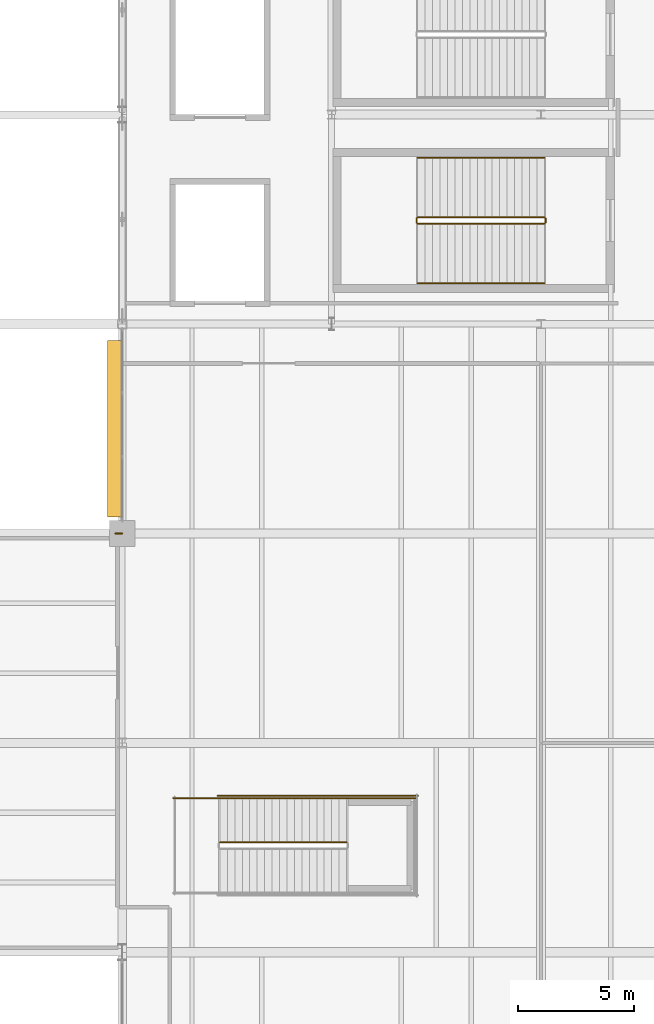
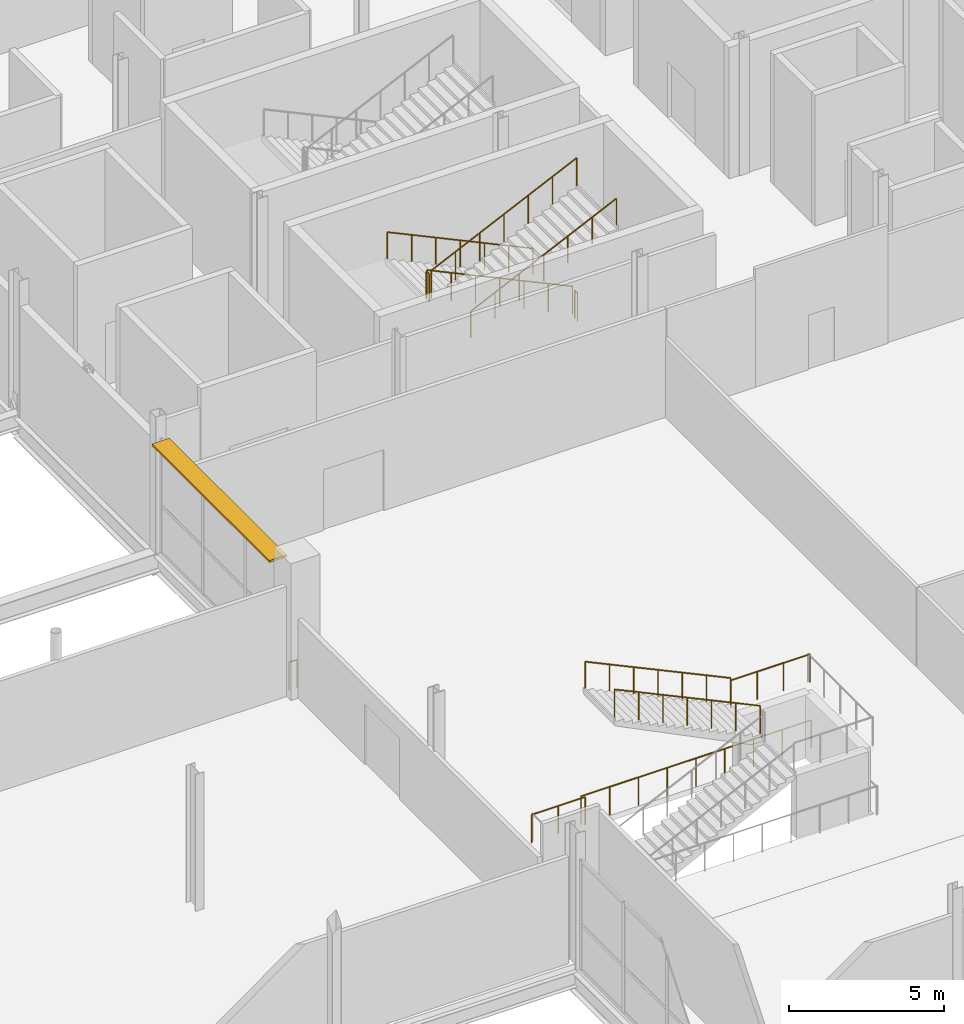
# One storey, part 111 of 119: 12 railings, 1 shading device.
"""IFC4 building model written with IfcOpenShell, lengths in metres."""

from ifc_helpers import new_model, si_unit, direction, frame, origin, origin_2d, place, context, subcontext, project, spatial, rectangle, circle, extrude, material, type_object, element, save


model = new_model("IFC4")

# Units and contexts
model_context = context("Model", 3, precision=1e-05, world=origin(), true_north=direction((0.0, 1.0)))
body_context = subcontext(model_context, "Body", "Model", "MODEL_VIEW")
ifc_project = project(units=[si_unit("LENGTHUNIT", "METRE"), si_unit("AREAUNIT", "SQUARE_METRE"), si_unit("VOLUMEUNIT", "CUBIC_METRE"), si_unit("PLANEANGLEUNIT", "RADIAN"), si_unit("MASSUNIT", "GRAM", prefix="KILO")], contexts=[model_context])

# Site, building, storey
site_placement = place(None, origin())
site = spatial("IfcSite", under=ifc_project, at=site_placement, CompositionType="ELEMENT")
building_placement = place(site_placement, origin())
building = spatial("IfcBuilding", under=site, at=building_placement, Name="Qamarlyn Nura Convention Centre", CompositionType="ELEMENT")
storey_placement = place(building_placement, frame((0.0, 0.0, 5.39990234375)))
storey = spatial("IfcBuildingStorey", under=building, at=storey_placement, Name="L01", CompositionType="ELEMENT", Elevation=5.39990234375)

# Railings
ifc_material_1 = material(Name="Marine Grade 316 stainless steel", Category="steel")
railing_type_1 = type_object("IfcRailingType", Name="GRD-STAIR-112", PredefinedType="BALUSTRADE", material=ifc_material_1)
railing_1_placement = place(storey_placement, frame((171.139892578125, 58.590087890625, 0.150146484375)))
element("IfcRailing", 1, at=railing_1_placement, inside=storey, type_object=railing_type_1, Name="L01 ST-11 stair guard 1", PredefinedType="BALUSTRADE", context=body_context, shape_type="SweptSolid", body=[
    extrude(circle(Radius=0.02392578125, at=origin_2d()), frame((0.0, 0.0, 1.09619140625), z_axis=(-0.90545405566, 0.0, 0.424444287379), x_axis=(0.0, -1.0, 0.0)), (0.0, 0.0, 1.0), 6.008056640625),
    extrude(circle(Radius=0.02099609375, at=origin_2d()), origin(), (0.0, 0.0, 1.0), 1.070068359375),
    extrude(circle(Radius=0.02099609375, at=origin_2d()), frame((-0.90673828125, 0.0, 0.425048828125)), (0.0, 0.0, 1.0), 1.070068359375),
    extrude(circle(Radius=0.02099609375, at=origin_2d()), frame((-1.813232421875, 0.0, 0.85009765625)), (0.0, 0.0, 1.0), 1.070068359375),
    extrude(circle(Radius=0.02099609375, at=origin_2d()), frame((-2.719970703125, 0.0, 1.27490234375)), (0.0, 0.0, 1.0), 1.070068359375),
    extrude(circle(Radius=0.02099609375, at=origin_2d()), frame((-3.626708984375, 0.0, 1.699951171875)), (0.0, 0.0, 1.0), 1.070068359375),
    extrude(circle(Radius=0.02099609375, at=origin_2d()), frame((-4.533203125, 0.0, 2.125)), (0.0, 0.0, 1.0), 1.070068359375),
    extrude(circle(Radius=0.02099609375, at=origin_2d()), frame((-5.43994140625, 0.0, 2.550048828125)), (0.0, 0.0, 1.0), 1.070068359375),
])
railing_2_placement = place(storey_placement, frame((165.64990234375, 58.5400390625, 2.7001953125)))
element("IfcRailing", 2, at=railing_2_placement, inside=storey, type_object=railing_type_1, Name="L01 ST-11 stair guard 2", PredefinedType="BALUSTRADE", context=body_context, shape_type="SweptSolid", body=[
    extrude(circle(Radius=0.02392578125, at=origin_2d()), frame((0.0, 0.0, 1.09619140625), z_axis=(0.0, -1.0, 0.0), x_axis=(1.0, 0.0, 0.0)), (0.0, 0.0, 1.0), 0.179931640625),
    extrude(circle(Radius=0.02099609375, at=origin_2d()), origin(), (0.0, 0.0, 1.0), 1.070068359375),
    extrude(circle(Radius=0.02099609375, at=origin_2d()), frame((0.0, -0.179931640625, 0.0)), (0.0, 0.0, 1.0), 1.070068359375),
])
railing_3_placement = place(storey_placement, frame((165.699951171875, 58.31005859375, 2.85009765625)))
element("IfcRailing", 3, at=railing_3_placement, inside=storey, type_object=railing_type_1, Name="L01 ST-11 stair guard 3", PredefinedType="BALUSTRADE", context=body_context, shape_type="SweptSolid", body=[
    extrude(circle(Radius=0.02392578125, at=origin_2d()), frame((0.0, 0.0, 1.09619140625), z_axis=(0.90545405566, 0.0, 0.424444287379), x_axis=(0.0, 1.0, 0.0)), (0.0, 0.0, 1.0), 6.008056640625),
    extrude(circle(Radius=0.02099609375, at=origin_2d()), origin(), (0.0, 0.0, 1.0), 1.070068359375),
    extrude(circle(Radius=0.02099609375, at=origin_2d()), frame((0.90673828125, 0.0, 0.425048828125)), (0.0, 0.0, 1.0), 1.070068359375),
    extrude(circle(Radius=0.02099609375, at=origin_2d()), frame((1.813232421875, 0.0, 0.85009765625)), (0.0, 0.0, 1.0), 1.070068359375),
    extrude(circle(Radius=0.02099609375, at=origin_2d()), frame((2.719970703125, 0.0, 1.27490234375)), (0.0, 0.0, 1.0), 1.070068359375),
    extrude(circle(Radius=0.02099609375, at=origin_2d()), frame((3.626708984375, 0.0, 1.699951171875)), (0.0, 0.0, 1.0), 1.070068359375),
    extrude(circle(Radius=0.02099609375, at=origin_2d()), frame((4.533203125, 0.0, 2.125)), (0.0, 0.0, 1.0), 1.070068359375),
    extrude(circle(Radius=0.02099609375, at=origin_2d()), frame((5.43994140625, 0.0, 2.550048828125)), (0.0, 0.0, 1.0), 1.070068359375),
])
railing_4_placement = place(storey_placement, frame((171.18994140625, 58.5400390625, 0.0)))
element("IfcRailing", 4, at=railing_4_placement, inside=storey, type_object=railing_type_1, Name="L01 ST-11 stair guard 4", PredefinedType="BALUSTRADE", context=body_context, shape_type="SweptSolid", body=[
    extrude(circle(Radius=0.02392578125, at=origin_2d()), frame((0.0, 0.0, 1.09619140625), z_axis=(0.0, -1.0, 0.0), x_axis=(1.0, 0.0, 0.0)), (0.0, 0.0, 1.0), 0.179931640625),
    extrude(circle(Radius=0.02099609375, at=origin_2d()), origin(), (0.0, 0.0, 1.0), 1.070068359375),
    extrude(circle(Radius=0.02099609375, at=origin_2d()), frame((0.0, -0.179931640625, 0.0)), (0.0, 0.0, 1.0), 1.070068359375),
])
railing_5_placement = place(storey_placement, frame((162.639892578125, 33.6298828125, 2.7001953125)))
element("IfcRailing", 5, at=railing_5_placement, inside=storey, type_object=railing_type_1, Name="L01 ST-20 stair guard 4", PredefinedType="BALUSTRADE", context=body_context, shape_type="SweptSolid", body=[
    extrude(circle(Radius=0.02392578125, at=origin_2d()), frame((0.0, 0.0, 1.09619140625), z_axis=(1.0, 0.0, 0.0), x_axis=(0.0, 1.0, 0.0)), (0.0, 0.0, 1.0), 2.960205078125),
    extrude(circle(Radius=0.02099609375, at=origin_2d()), origin(), (0.0, 0.0, 1.0), 1.070068359375),
    extrude(circle(Radius=0.02099609375, at=origin_2d()), frame((0.98681640625, 0.0, 0.0)), (0.0, 0.0, 1.0), 1.070068359375),
    extrude(circle(Radius=0.02099609375, at=origin_2d()), frame((1.973388671875, 0.0, 0.0)), (0.0, 0.0, 1.0), 1.070068359375),
    extrude(circle(Radius=0.02099609375, at=origin_2d()), frame((2.960205078125, 0.0, 0.0)), (0.0, 0.0, 1.0), 1.070068359375),
])
railing_6_placement = place(storey_placement, frame((162.639892578125, 31.72998046875, 2.85009765625)))
element("IfcRailing", 6, at=railing_6_placement, inside=storey, type_object=railing_type_1, Name="L01 ST-20 stair guard 6", PredefinedType="BALUSTRADE", context=body_context, shape_type="SweptSolid", body=[
    extrude(circle(Radius=0.02392578125, at=origin_2d()), frame((0.0, 0.0, 1.09619140625), z_axis=(-0.90545405566, 0.0, 0.424444287379), x_axis=(0.0, -1.0, 0.0)), (0.0, 0.0, 1.0), 6.008056640625),
    extrude(circle(Radius=0.02099609375, at=origin_2d()), origin(), (0.0, 0.0, 1.0), 1.070068359375),
    extrude(circle(Radius=0.02099609375, at=origin_2d()), frame((-0.90673828125, 0.0, 0.425048828125)), (0.0, 0.0, 1.0), 1.070068359375),
    extrude(circle(Radius=0.02099609375, at=origin_2d()), frame((-1.813232421875, 0.0, 0.85009765625)), (0.0, 0.0, 1.0), 1.070068359375),
    extrude(circle(Radius=0.02099609375, at=origin_2d()), frame((-2.719970703125, 0.0, 1.27490234375)), (0.0, 0.0, 1.0), 1.070068359375),
    extrude(circle(Radius=0.02099609375, at=origin_2d()), frame((-3.626708984375, 0.0, 1.699951171875)), (0.0, 0.0, 1.0), 1.070068359375),
    extrude(circle(Radius=0.02099609375, at=origin_2d()), frame((-4.533203125, 0.0, 2.125)), (0.0, 0.0, 1.0), 1.070068359375),
    extrude(circle(Radius=0.02099609375, at=origin_2d()), frame((-5.43994140625, 0.0, 2.550048828125)), (0.0, 0.0, 1.0), 1.070068359375),
])
railing_7_placement = place(storey_placement, frame((155.199951171875, 33.6298828125, 0.0)))
element("IfcRailing", 7, at=railing_7_placement, inside=storey, type_object=railing_type_1, Name="L01 ST-20 stair guard 9", PredefinedType="BALUSTRADE", context=body_context, shape_type="SweptSolid", body=[
    extrude(circle(Radius=0.02392578125, at=origin_2d()), frame((0.0, 0.0, 1.09619140625), z_axis=(1.0, 0.0, 0.0), x_axis=(0.0, 1.0, 0.0)), (0.0, 0.0, 1.0), 2.0),
    extrude(circle(Radius=0.02099609375, at=origin_2d()), origin(), (0.0, 0.0, 1.0), 1.070068359375),
    extrude(circle(Radius=0.02099609375, at=origin_2d()), frame((1.0, 0.0, 0.0)), (0.0, 0.0, 1.0), 1.070068359375),
    extrude(circle(Radius=0.02099609375, at=origin_2d()), frame((2.0, 0.0, 0.0)), (0.0, 0.0, 1.0), 1.070068359375),
])
railing_8_placement = place(storey_placement, frame((157.10009765625, 33.72998046875, 0.0)))
element("IfcRailing", 8, at=railing_8_placement, inside=storey, type_object=railing_type_1, Name="L01 ST-20 stair guard 12", PredefinedType="BALUSTRADE", context=body_context, shape_type="SweptSolid", body=[
    extrude(circle(Radius=0.02392578125, at=origin_2d()), frame((0.0, 0.0, 1.09619140625), z_axis=(1.0, 0.0, 0.0), x_axis=(0.0, 1.0, 0.0)), (0.0, 0.0, 1.0), 8.599853515625),
    extrude(circle(Radius=0.02099609375, at=origin_2d()), origin(), (0.0, 0.0, 1.0), 1.070068359375),
    extrude(circle(Radius=0.02099609375, at=origin_2d()), frame((1.074951171875, 0.0, 0.0)), (0.0, 0.0, 1.0), 1.070068359375),
    extrude(circle(Radius=0.02099609375, at=origin_2d()), frame((2.14990234375, 0.0, 0.0)), (0.0, 0.0, 1.0), 1.070068359375),
    extrude(circle(Radius=0.02099609375, at=origin_2d()), frame((3.224853515625, 0.0, 0.0)), (0.0, 0.0, 1.0), 1.070068359375),
    extrude(circle(Radius=0.02099609375, at=origin_2d()), frame((4.2998046875, 0.0, 0.0)), (0.0, 0.0, 1.0), 1.070068359375),
    extrude(circle(Radius=0.02099609375, at=origin_2d()), frame((5.375, 0.0, 0.0)), (0.0, 0.0, 1.0), 1.070068359375),
    extrude(circle(Radius=0.02099609375, at=origin_2d()), frame((6.449951171875, 0.0, 0.0)), (0.0, 0.0, 1.0), 1.070068359375),
    extrude(circle(Radius=0.02099609375, at=origin_2d()), frame((7.52490234375, 0.0, 0.0)), (0.0, 0.0, 1.0), 1.070068359375),
    extrude(circle(Radius=0.02099609375, at=origin_2d()), frame((8.599853515625, 0.0, 0.0)), (0.0, 0.0, 1.0), 1.070068359375),
])
railing_type_2 = type_object("IfcRailingType", Name="GRD-VOID-112", PredefinedType="BALUSTRADE", material=ifc_material_1)
railing_9_placement = place(storey_placement, frame((152.701904296875, 45.0, 0.0)))
element("IfcRailing", 9, at=railing_9_placement, inside=storey, type_object=railing_type_2, Name="L01 slab edge balustrade guard 040", PredefinedType="BALUSTRADE", context=body_context, shape_type="SweptSolid", body=[
    extrude(circle(Radius=0.02392578125, at=origin_2d()), frame((0.0, 0.0, 1.09619140625), z_axis=(1.0, 0.0, 0.0), x_axis=(0.0, 1.0, 0.0)), (0.0, 0.0, 1.0), 0.298095703125),
    extrude(circle(Radius=0.02099609375, at=origin_2d()), origin(), (0.0, 0.0, 1.0), 1.070068359375),
    extrude(circle(Radius=0.02099609375, at=origin_2d()), frame((0.298095703125, 0.0, 0.0)), (0.0, 0.0, 1.0), 1.070068359375),
])
railing_type_3 = type_object("IfcRailingType", Name="HRL-STAIR-090", PredefinedType="HANDRAIL", material=ifc_material_1)
railing_10_placement = place(storey_placement, frame((171.139892578125, 61.14990234375, 0.302490234375)))
element("IfcRailing", 10, at=railing_10_placement, inside=storey, type_object=railing_type_3, Name="L01 ST-11 stair handrail 1", PredefinedType="HANDRAIL", context=body_context, shape_type="SweptSolid", body=[
    extrude(circle(Radius=0.02392578125, at=origin_2d()), frame((0.0, 0.0, 0.88818359375), z_axis=(-0.90546967238, 0.0, 0.424410971113), x_axis=(0.0, -1.0, 0.0)), (0.0, 0.0, 1.0), 6.0078125),
    extrude(circle(Radius=0.02099609375, at=origin_2d()), frame((0.0, 0.0, -0.155029296875)), (0.0, 0.0, 1.0), 1.01708984375),
    extrude(circle(Radius=0.02099609375, at=origin_2d()), frame((-0.90673828125, 0.0, 0.27001953125)), (0.0, 0.0, 1.0), 1.01708984375),
    extrude(circle(Radius=0.02099609375, at=origin_2d()), frame((-1.813232421875, 0.0, 0.69482421875)), (0.0, 0.0, 1.0), 1.01708984375),
    extrude(circle(Radius=0.02099609375, at=origin_2d()), frame((-2.719970703125, 0.0, 1.119873046875)), (0.0, 0.0, 1.0), 1.01708984375),
    extrude(circle(Radius=0.02099609375, at=origin_2d()), frame((-3.626708984375, 0.0, 1.544921875)), (0.0, 0.0, 1.0), 1.01708984375),
    extrude(circle(Radius=0.02099609375, at=origin_2d()), frame((-4.533203125, 0.0, 1.9697265625)), (0.0, 0.0, 1.0), 1.01708984375),
    extrude(circle(Radius=0.02099609375, at=origin_2d()), frame((-5.43994140625, 0.0, 2.394775390625)), (0.0, 0.0, 1.0), 1.01708984375),
])
railing_11_placement = place(storey_placement, frame((165.699951171875, 55.75, 3.00244140625)))
element("IfcRailing", 11, at=railing_11_placement, inside=storey, type_object=railing_type_3, Name="L01 ST-11 stair handrail 2", PredefinedType="HANDRAIL", context=body_context, shape_type="SweptSolid", body=[
    extrude(circle(Radius=0.02392578125, at=origin_2d()), frame((0.0, 0.0, 0.88818359375), z_axis=(0.90545405566, 0.0, 0.424444287379), x_axis=(0.0, 1.0, 0.0)), (0.0, 0.0, 1.0), 6.008056640625),
    extrude(circle(Radius=0.02099609375, at=origin_2d()), frame((0.0, 0.0, -0.155029296875)), (0.0, 0.0, 1.0), 1.01708984375),
    extrude(circle(Radius=0.02099609375, at=origin_2d()), frame((0.90673828125, 0.0, 0.27001953125)), (0.0, 0.0, 1.0), 1.01708984375),
    extrude(circle(Radius=0.02099609375, at=origin_2d()), frame((1.813232421875, 0.0, 0.695068359375)), (0.0, 0.0, 1.0), 1.01708984375),
    extrude(circle(Radius=0.02099609375, at=origin_2d()), frame((2.719970703125, 0.0, 1.1201171875)), (0.0, 0.0, 1.0), 1.01708984375),
    extrude(circle(Radius=0.02099609375, at=origin_2d()), frame((3.626708984375, 0.0, 1.544921875)), (0.0, 0.0, 1.0), 1.01708984375),
    extrude(circle(Radius=0.02099609375, at=origin_2d()), frame((4.533203125, 0.0, 1.969970703125)), (0.0, 0.0, 1.0), 1.01708984375),
    extrude(circle(Radius=0.02099609375, at=origin_2d()), frame((5.43994140625, 0.0, 2.39501953125)), (0.0, 0.0, 1.0), 1.01708984375),
])
railing_12_placement = place(storey_placement, frame((162.639892578125, 33.6298828125, 3.00244140625)))
element("IfcRailing", 12, at=railing_12_placement, inside=storey, type_object=railing_type_3, Name="L01 ST-20 stair handrail 2", PredefinedType="HANDRAIL", context=body_context, shape_type="SweptSolid", body=[
    extrude(circle(Radius=0.02392578125, at=origin_2d()), frame((0.0, 0.0, 0.88818359375), z_axis=(-0.90545405566, 0.0, 0.424444287379), x_axis=(0.0, -1.0, 0.0)), (0.0, 0.0, 1.0), 6.008056640625),
    extrude(circle(Radius=0.02099609375, at=origin_2d()), frame((0.0, 0.0, -0.155029296875)), (0.0, 0.0, 1.0), 1.01708984375),
    extrude(circle(Radius=0.02099609375, at=origin_2d()), frame((-0.90673828125, 0.0, 0.27001953125)), (0.0, 0.0, 1.0), 1.01708984375),
    extrude(circle(Radius=0.02099609375, at=origin_2d()), frame((-1.813232421875, 0.0, 0.695068359375)), (0.0, 0.0, 1.0), 1.01708984375),
    extrude(circle(Radius=0.02099609375, at=origin_2d()), frame((-2.719970703125, 0.0, 1.1201171875)), (0.0, 0.0, 1.0), 1.01708984375),
    extrude(circle(Radius=0.02099609375, at=origin_2d()), frame((-3.626708984375, 0.0, 1.544921875)), (0.0, 0.0, 1.0), 1.01708984375),
    extrude(circle(Radius=0.02099609375, at=origin_2d()), frame((-4.533203125, 0.0, 1.969970703125)), (0.0, 0.0, 1.0), 1.01708984375),
    extrude(circle(Radius=0.02099609375, at=origin_2d()), frame((-5.43994140625, 0.0, 2.39501953125)), (0.0, 0.0, 1.0), 1.01708984375),
])

# Shading device
ifc_material_2 = material(Name="Champagne-anodised marine aluminium", Category="aluminium")
shading_device_type = type_object("IfcShadingDeviceType", Name="SHD-SUN-SHUTTER", PredefinedType="SHUTTER", material=ifc_material_2)
shading_device_placement = place(storey_placement, frame((152.699951171875, 49.5, 4.719970703125), z_axis=(0.0, 0.0, 1.0), x_axis=(1.0, 0.0, 0.0)))
element("IfcShadingDevice", 13, at=shading_device_placement, inside=storey, type_object=shading_device_type, Name="L01 courtyard solar sunshade 45", PredefinedType="SHUTTER", context=body_context, shape_type="SweptSolid", body=[
    extrude(rectangle(XDim=0.64990234375, YDim=7.60009765625, at=origin_2d()), origin(), (0.0, 0.0, 1.0), 0.080078125),
])

save(model, "model.ifc")
